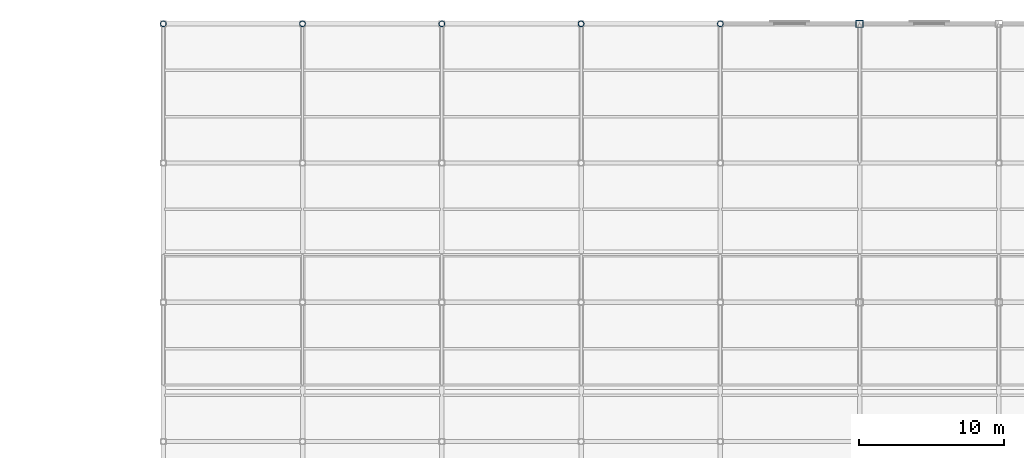
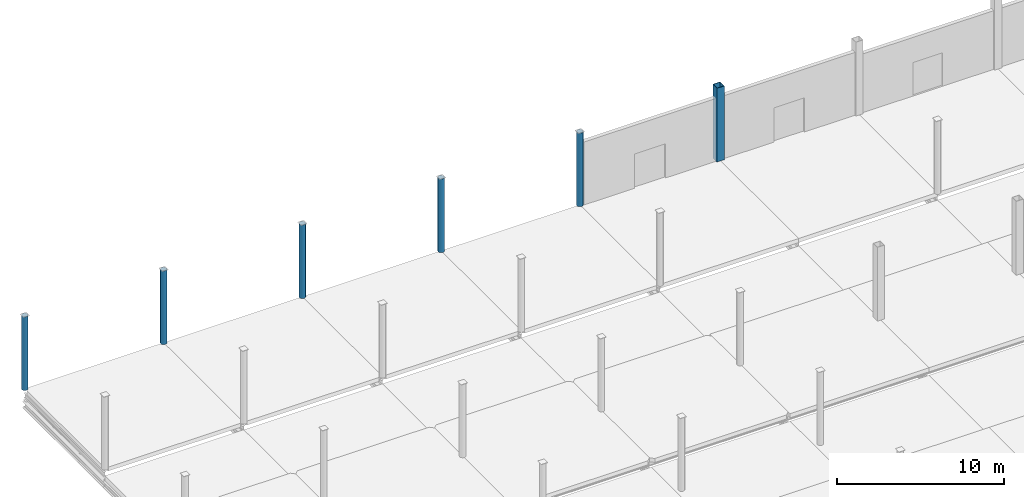
# One storey, part 22 of 85: 6 columns.
"""IFC4 building model written with IfcOpenShell, lengths in metres."""

import ifcopenshell
import ifcopenshell.guid

model = None  # the IFC model being written
_history = None  # IfcOwnerHistory: only IFC2X3 demands one
_inside = {}  # id of a spatial element -> (the spatial element, [elements in it])
_under = {}  # id of a project, library or spatial element -> (it, [spatial elements below it])
_declared = {}  # id of a project -> (the project, [libraries it declares])
_typed = {}  # id of a type object -> (the type object, [elements of that type])
_made_of = {}  # id of a material, layer set ... -> (it, [elements and type objects made of it])


def new_model(schema):
    """Start an empty IFC model of exactly this schema.

    Asked for "IFC4X3", IfcOpenShell would pick the latest addendum, in which some entities
    have other attributes; the version numbers below select the first issue.
    IFC2X3 requires an IfcOwnerHistory on every rooted entity: one is made here for all.
    """
    global model, _history
    if schema == "IFC4X3":
        model = ifcopenshell.file(schema_version=(4, 3, 0, 0))
    else:
        model = ifcopenshell.file(schema=schema)
    _inside.clear()
    _under.clear()
    _declared.clear()
    _typed.clear()
    _made_of.clear()
    _history = None
    if model.schema == "IFC2X3":
        org = make("IfcOrganization", Name="unknown")
        user = make(
            "IfcPersonAndOrganization",
            ThePerson=make("IfcPerson", FamilyName="unknown"),
            TheOrganization=org,
        )
        app = make(
            "IfcApplication",
            ApplicationDeveloper=org,
            Version="unknown",
            ApplicationFullName="unknown",
            ApplicationIdentifier="unknown",
        )
        _history = make(
            "IfcOwnerHistory",
            OwningUser=user,
            OwningApplication=app,
            ChangeAction="ADDED",
            CreationDate=0,
        )
    return model


def make(cls, **values):
    """One entity of the class cls with the attributes given. An attribute that is None is left unset."""
    return model.create_entity(
        cls, **{name: value for name, value in values.items() if value is not None}
    )


def rooted(cls, **values):
    """An entity with a GlobalId (a new one), such as an element, a storey or a relation."""
    return make(cls, GlobalId=ifcopenshell.guid.new(), OwnerHistory=_history, **values)


def si_unit(unit_type, name, prefix=None):
    """IfcSIUnit, for example si_unit("LENGTHUNIT", "METRE", prefix="MILLI")."""
    return make("IfcSIUnit", UnitType=unit_type, Prefix=prefix, Name=name)


def assignment(units):
    """IfcUnitAssignment: the units of a project."""
    return None if units is None else make("IfcUnitAssignment", Units=units)


def point(xyz):
    """IfcCartesianPoint."""
    return None if xyz is None else make("IfcCartesianPoint", Coordinates=xyz)


def direction(xyz):
    """IfcDirection."""
    return None if xyz is None else make("IfcDirection", DirectionRatios=xyz)


def frame(location, z_axis=None, x_axis=None):
    """IfcAxis2Placement3D, a coordinate frame: its origin and axes. An axis left out is left unset."""
    return make(
        "IfcAxis2Placement3D",
        Location=point(location),
        Axis=direction(z_axis),
        RefDirection=direction(x_axis),
    )


def frame_2d(location, x_axis=None):
    """IfcAxis2Placement2D, a coordinate frame in the plane: its origin and x axis."""
    return make(
        "IfcAxis2Placement2D", Location=point(location), RefDirection=direction(x_axis)
    )


def origin():
    """The frame at (0, 0, 0) with its axes left unset."""
    return frame((0.0, 0.0, 0.0))


def origin_2d():
    """The frame at (0, 0) in the plane with its x axis left unset."""
    return frame_2d((0.0, 0.0))


def place(relative_to, where):
    """IfcLocalPlacement: puts the frame where relative to a parent placement (None: the world)."""
    return make(
        "IfcLocalPlacement", PlacementRelTo=relative_to, RelativePlacement=where
    )


def context(
    kind, dimensions, precision=None, world=None, true_north=None, identifier=None
):
    """IfcGeometricRepresentationContext, for example the 3D "Model" context."""
    return make(
        "IfcGeometricRepresentationContext",
        ContextIdentifier=identifier,
        ContextType=kind,
        CoordinateSpaceDimension=dimensions,
        Precision=precision,
        WorldCoordinateSystem=world,
        TrueNorth=true_north,
    )


def subcontext(parent, identifier, kind, view, scale=None):
    """IfcGeometricRepresentationSubContext, for example "Body" below "Model"."""
    return make(
        "IfcGeometricRepresentationSubContext",
        ContextIdentifier=identifier,
        ContextType=kind,
        ParentContext=parent,
        TargetScale=scale,
        TargetView=view,
    )


def project(units=None, contexts=None):
    """IfcProject with its units and contexts."""
    return rooted(
        "IfcProject",
        Name="project",
        RepresentationContexts=contexts,
        UnitsInContext=assignment(units),
    )


def spatial(cls, under=None, at=None, **own):
    """A site, building, storey or space (cls), placed at a placement, below another one or the project."""
    s = rooted(cls, ObjectPlacement=at, **own)
    if under is not None:
        _under.setdefault(under.id(), (under, []))[1].append(s)
    return s


def profile(cls, at=None, kind="AREA", **sizes):
    """A parametric profile (cls). Its sizes go by their IFC names, for example OverallWidth=200.0."""
    return make(cls, ProfileType=kind, Position=at, **sizes)


def hollow_rectangle(**sizes):
    """IfcRectangleHollowProfileDef."""
    return profile("IfcRectangleHollowProfileDef", **sizes)


def hollow_circle(**sizes):
    """IfcCircleHollowProfileDef."""
    return profile("IfcCircleHollowProfileDef", **sizes)


def extrude(swept, where, along, depth):
    """IfcExtrudedAreaSolid: the profile swept, set in the frame where, extruded along a direction by depth."""
    return make(
        "IfcExtrudedAreaSolid",
        SweptArea=swept,
        Position=where,
        ExtrudedDirection=direction(along),
        Depth=depth,
    )


def shape(context_of_items, identifier, shape_type, items):
    """IfcShapeRepresentation: the items that make up one representation, for example the "Body"."""
    return make(
        "IfcShapeRepresentation",
        ContextOfItems=context_of_items,
        RepresentationIdentifier=identifier,
        RepresentationType=shape_type,
        Items=items,
    )


def material(Name=None, Category=None):
    """IfcMaterial."""
    return make("IfcMaterial", Name=Name, Category=Category)


def material_profile(
    of_material, cross_section, Name=None, Category=None, Priority=None
):
    """IfcMaterialProfile: a cross section and its material."""
    return make(
        "IfcMaterialProfile",
        Name=Name,
        Material=of_material,
        Profile=cross_section,
        Priority=Priority,
        Category=Category,
    )


def profile_set(profiles, Name=None, composite=None):
    """IfcMaterialProfileSet."""
    return make(
        "IfcMaterialProfileSet",
        Name=Name,
        MaterialProfiles=profiles,
        CompositeProfile=composite,
    )


def made_of(thing, what):
    """Note that an element or type object is made of a material, layer set ...; save() writes the relation."""
    if what is not None:
        _made_of.setdefault(what.id(), (what, []))[1].append(thing)
    return thing


def type_object(cls, material=None, **own):
    """A type object (cls), such as IfcWallType, which elements share."""
    return made_of(rooted(cls, **own), material)


def element(
    cls,
    number,
    at=None,
    inside=None,
    cuts=None,
    type_object=None,
    material=None,
    context=None,
    identifier="Body",
    shape_type=None,
    held_by="IfcProductDefinitionShape",
    body=None,
    shapes=None,
    **own,
):
    """One element of the class cls, such as IfcWall. Its Tag is "e" and its number.

    at: its placement. inside: the storey or other place that contains it. cuts: it is an
    opening in that element (IfcRelVoidsElement). A single representation is given by context,
    identifier, shape_type and body (its items); several are given by shapes. held_by: the class
    of the entity that holds the representations. save() writes the other relations.
    """
    e = rooted(cls, Tag="e%d" % number, ObjectPlacement=at, **own)
    if body is not None:
        shapes = [shape(context, identifier, shape_type, body)]
    if shapes is not None:
        e.Representation = make(held_by, Representations=shapes)
    if inside is not None:
        _inside.setdefault(inside.id(), (inside, []))[1].append(e)
    if cuts is not None:
        rooted(
            "IfcRelVoidsElement", RelatingBuildingElement=cuts, RelatedOpeningElement=e
        )
    if type_object is not None:
        _typed.setdefault(type_object.id(), (type_object, []))[1].append(e)
    return made_of(e, material)


def aggregate(whole, parts):
    """IfcRelAggregates: a whole, such as a stair, and the parts it consists of."""
    return rooted("IfcRelAggregates", RelatingObject=whole, RelatedObjects=parts)


def save(model, path):
    """Write the relations noted so far, then the file.

    IfcRelAggregates (storeys below a building ...), IfcRelContainedInSpatialStructure (elements
    in a storey), IfcRelDefinesByType, IfcRelAssociatesMaterial and IfcRelDeclares: one each for
    every whole, place, type object, material and project.
    """
    for whole, parts in _under.values():
        aggregate(whole, parts)
    for where, things in _inside.values():
        rooted(
            "IfcRelContainedInSpatialStructure",
            RelatedElements=things,
            RelatingStructure=where,
        )
    for kind, things in _typed.values():
        rooted("IfcRelDefinesByType", RelatedObjects=things, RelatingType=kind)
    for what, things in _made_of.values():
        rooted("IfcRelAssociatesMaterial", RelatedObjects=things, RelatingMaterial=what)
    for by, libraries in _declared.values():
        rooted("IfcRelDeclares", RelatingContext=by, RelatedDefinitions=libraries)
    model.write(path)


model = new_model("IFC4")

# Units and contexts
model_context = context("Model", 3, precision=1e-05, world=origin(), true_north=direction((0.0, 1.0)))
body_context = subcontext(model_context, "Body", "Model", "MODEL_VIEW")
ifc_project = project(units=[si_unit("LENGTHUNIT", "METRE"), si_unit("AREAUNIT", "SQUARE_METRE"), si_unit("VOLUMEUNIT", "CUBIC_METRE"), si_unit("PLANEANGLEUNIT", "RADIAN"), si_unit("MASSUNIT", "GRAM", prefix="KILO")], contexts=[model_context])

# Site, building, storey
site_placement = place(None, origin())
site = spatial("IfcSite", under=ifc_project, at=site_placement, CompositionType="ELEMENT")
building_placement = place(site_placement, origin())
building = spatial("IfcBuilding", under=site, at=building_placement, Name="Zarnetskaya Central Station", CompositionType="ELEMENT")
storey_placement = place(building_placement, origin())
storey = spatial("IfcBuildingStorey", under=building, at=storey_placement, Name="L00", CompositionType="ELEMENT", Elevation=0.0)

# Columns
ifc_material = material(Name="Steel S355", Category="steel")
ifc_material_profile_1 = material_profile(ifc_material, hollow_circle(Radius=0.203125, WallThickness=0.02001953125, at=origin_2d()), Name="CHS 406.4x20")
ifc_profile_set_1 = profile_set([ifc_material_profile_1], Name="Steel S355")
column_type_1 = type_object("IfcColumnType", Name="COL-V1-PCAN", PredefinedType="COLUMN", material=ifc_profile_set_1)
for number, where, z_axis, x_axis, name in (
    (1, (9.60009765625, 124.800048828125, 0.0), (0.0, 0.0, 1.0), (1.0, 0.0, 0.0), "Column B15 L00"),
    (2, (19.199951171875, 124.800048828125, 0.0), (0.0, 0.0, 1.0), (1.0, 0.0, 0.0), "Column C15 L00"),
    (3, (28.800048828125, 124.800048828125, 0.0), (0.0, 0.0, 1.0), (1.0, 0.0, 0.0), "Column D15 L00"),
    (4, (38.39990234375, 124.800048828125, 0.0), (0.0, 0.0, 1.0), (1.0, 0.0, 0.0), "Column E15 L00"),
    (5, (48.0, 124.800048828125, 0.0), (0.0, 0.0, 1.0), (1.0, 0.0, 0.0), "Column F15 L00"),
):
    element("IfcColumn", number, at=place(storey_placement, frame(where, z_axis=z_axis, x_axis=x_axis)), inside=storey, type_object=column_type_1, Name=name, PredefinedType="COLUMN", context=body_context, shape_type="SweptSolid", body=[
        extrude(hollow_circle(Radius=0.203125, WallThickness=0.02001953125, at=origin_2d()), origin(), (0.0, 0.0, 1.0), 5.387939453125),
    ])
ifc_material_profile_2 = material_profile(ifc_material, hollow_rectangle(XDim=0.5, YDim=0.5, WallThickness=0.02490234375, at=origin_2d()), Name="BOX 500x500x25")
ifc_profile_set_2 = profile_set([ifc_material_profile_2], Name="Steel S355")
column_type_2 = type_object("IfcColumnType", Name="COL-V1-SHED", PredefinedType="COLUMN", material=ifc_profile_set_2)
column_placement = place(storey_placement, frame((57.60009765625, 124.800048828125, 0.0), z_axis=(0.0, 0.0, 1.0), x_axis=(1.0, 0.0, 0.0)))
element("IfcColumn", 6, at=column_placement, inside=storey, type_object=column_type_2, Name="Column G15 L00", PredefinedType="COLUMN", context=body_context, shape_type="SweptSolid", body=[
    extrude(hollow_rectangle(XDim=0.5, YDim=0.5, WallThickness=0.02490234375, at=origin_2d()), origin(), (0.0, 0.0, 1.0), 5.39990234375),
])

save(model, "model.ifc")
